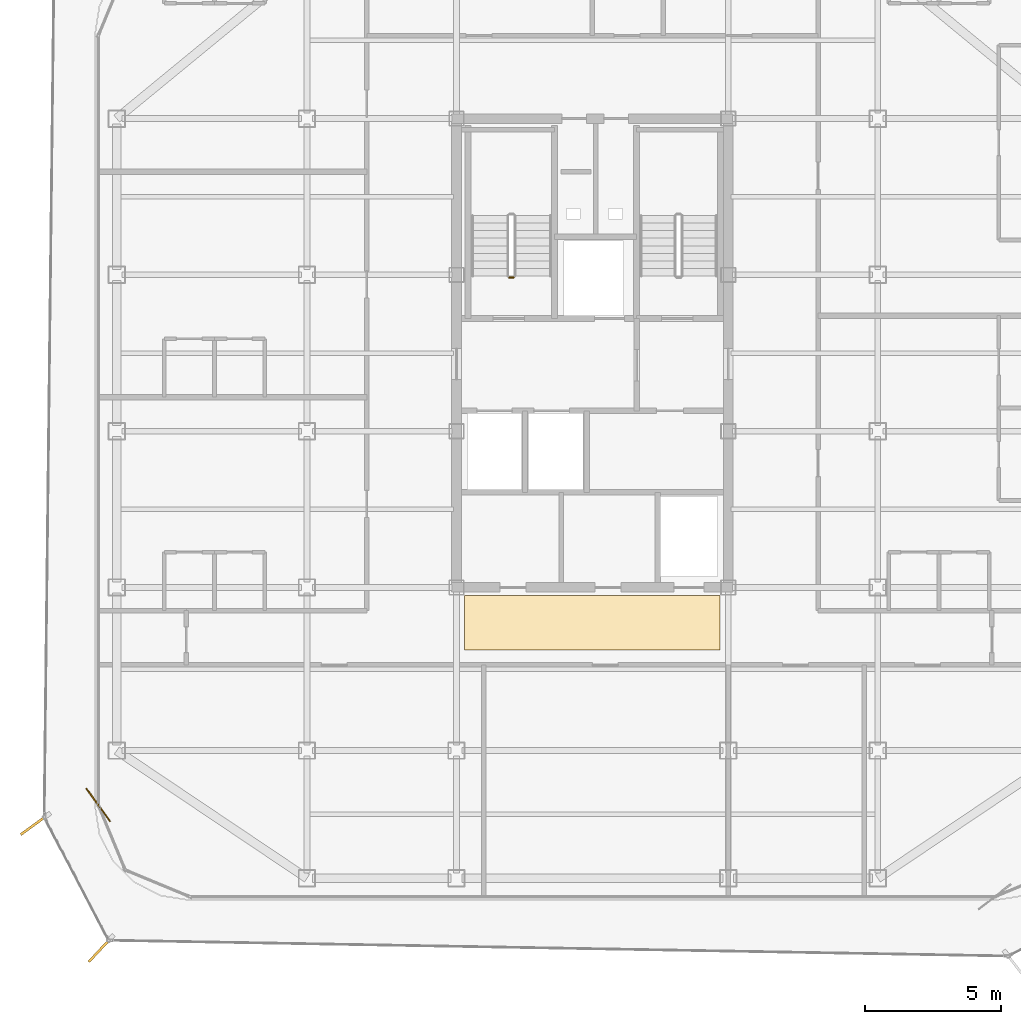
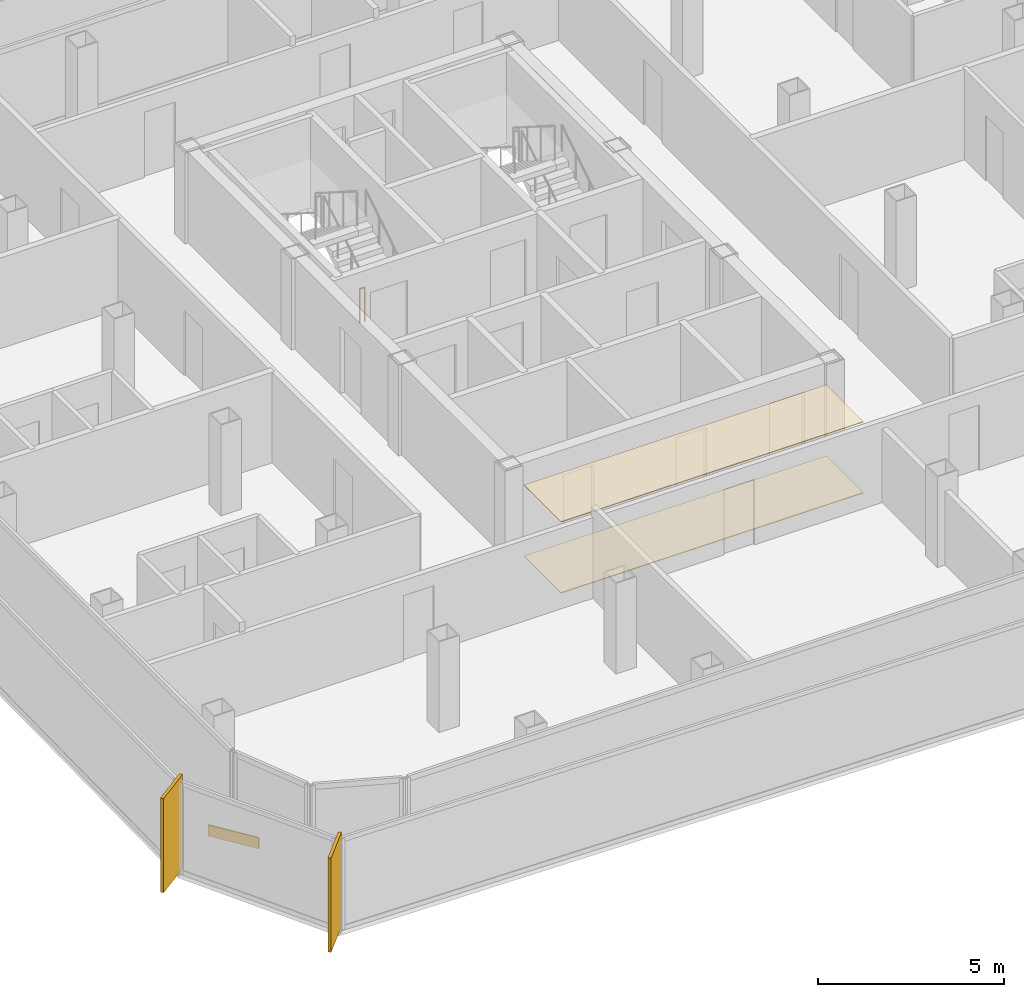
# One storey, part 13 of 15: 3 coverings, 2 shading devices, 1 railing.
"""IFC4 building model written with IfcOpenShell, lengths in metres."""

from ifc_helpers import new_model, si_unit, direction, frame, origin, origin_2d, place, context, subcontext, project, spatial, polyline, rectangle, circle, outline, extrude, source, transform, mapped, material, layer, layer_set, type_object, element, save


model = new_model("IFC4")

# Units and contexts
model_context = context("Model", 3, precision=1e-05, world=origin(), true_north=direction((0.0, 1.0)))
body_context = subcontext(model_context, "Body", "Model", "MODEL_VIEW")
ifc_project = project(units=[si_unit("LENGTHUNIT", "METRE"), si_unit("AREAUNIT", "SQUARE_METRE"), si_unit("VOLUMEUNIT", "CUBIC_METRE"), si_unit("PLANEANGLEUNIT", "RADIAN"), si_unit("MASSUNIT", "GRAM", prefix="KILO")], contexts=[model_context])

# Site, building, storey
site_placement = place(None, origin())
site = spatial("IfcSite", under=ifc_project, at=site_placement, CompositionType="ELEMENT")
building_placement = place(site_placement, origin())
building = spatial("IfcBuilding", under=site, at=building_placement, Name="Kolveth Station Tower", CompositionType="ELEMENT")
storey_placement = place(building_placement, frame((0.0, 0.0, 229.699951171875)))
storey = spatial("IfcBuildingStorey", under=building, at=storey_placement, Name="L65", CompositionType="ELEMENT", Elevation=229.699951171875)

# Coverings
ifc_material_1 = material(Name="Acoustic mineral-fibre ceiling tile")
ifc_layer_1 = layer(ifc_material_1, 0.02490234375)
ifc_layer_set_1 = layer_set([ifc_layer_1], Name="Acoustic mineral-fibre ceiling tile")
covering_type_1 = type_object("IfcCoveringType", Name="Ceil_CL1", PredefinedType="CEILING", material=ifc_layer_set_1)
covering_1_placement = place(storey_placement, frame((0.0, 0.0, 2.330078125)))
element("IfcCovering", 1, at=covering_1_placement, inside=storey, type_object=covering_type_1, Name="L65 Lift Lobby Suspended Ceiling", PredefinedType="CEILING", context=body_context, shape_type="SweptSolid", body=[
    extrude(outline(polyline([(18.800048828125, 9.199951171875), (28.199951171875, 9.199951171875), (28.199951171875, 11.199951171875), (18.800048828125, 11.199951171875), (18.800048828125, 9.199951171875)])), origin(), (0.0, 0.0, 1.0), 0.02490234375),
])
ifc_material_2 = material(Name="Honed terrazzo flooring")
ifc_layer_2 = layer(ifc_material_2, 0.02001953125)
ifc_layer_set_2 = layer_set([ifc_layer_2], Name="Honed terrazzo flooring")
covering_type_2 = type_object("IfcCoveringType", Name="Floor_FL1", PredefinedType="FLOORING", material=ifc_layer_set_2)
covering_2_placement = place(storey_placement, origin())
element("IfcCovering", 2, at=covering_2_placement, inside=storey, type_object=covering_type_2, Name="L65 Lift Lobby Floor Finish", PredefinedType="FLOORING", context=body_context, shape_type="SweptSolid", body=[
    extrude(outline(polyline([(18.800048828125, 9.199951171875), (28.199951171875, 9.199951171875), (28.199951171875, 11.199951171875), (18.800048828125, 11.199951171875), (18.800048828125, 9.199951171875)])), origin(), (0.0, 0.0, 1.0), 0.02001953125),
])

# Railing
ifc_material_3 = material(Name="Painted Steel S355 balustrade", Category="steel")
railing_type = type_object("IfcRailingType", Name="Guard_GR2", PredefinedType="BALUSTRADE", material=ifc_material_3)
railing_placement = place(storey_placement, frame((20.60009765625, 22.89990234375, 0.0)))
element("IfcRailing", 3, at=railing_placement, inside=storey, type_object=railing_type, Name="L65 ST1 stair guard 4", PredefinedType="BALUSTRADE", context=body_context, shape_type="SweptSolid", body=[
    extrude(circle(Radius=0.02392578125, at=origin_2d()), frame((0.0, 0.0, 1.1259765625), z_axis=(-1.0, 0.0, 0.0), x_axis=(0.0, -1.0, 0.0)), (0.0, 0.0, 1.0), 0.16015625),
    extrude(circle(Radius=0.02099609375, at=origin_2d()), origin(), (0.0, 0.0, 1.0), 1.101806640625),
    extrude(circle(Radius=0.02099609375, at=origin_2d()), frame((-0.16015625, 0.0, 0.0)), (0.0, 0.0, 1.0), 1.101806640625),
])

# Shading devices
ifc_material_4 = material(Name="Black anodized aluminium 6063-T6", Category="aluminium")
shading_device_type = type_object("IfcShadingDeviceType", Name="FIN_VF1", PredefinedType="USERDEFINED", material=ifc_material_4)
shared_shape_1 = source(origin(), body_context, "Body", "SweptSolid", [
    extrude(rectangle(XDim=1.25, YDim=0.090087890625, at=origin_2d()), origin(), (0.0, 0.0, 1.0), 3.10009765625),
])
for number, where, z_axis, x_axis, name in (
    (4, (2.97412109375, 2.77490234375, 0.0), (0.0, 0.0, 1.0), (-0.809734505573, -0.586796413149, 0.0), "L65 Dark-Aluminium Solar Fin 7"),
    (5, (5.39892578125, -1.81494140625, 0.0), (0.0, 0.0, 1.0), (-0.680976533192, -0.732305237754, 0.0), "L65 Dark-Aluminium Solar Fin 8"),
):
    element("IfcShadingDevice", number, at=place(storey_placement, frame(where, z_axis=z_axis, x_axis=x_axis)), inside=storey, type_object=shading_device_type, Name=name, ObjectType="FIN", PredefinedType="USERDEFINED", context=body_context, shape_type="MappedRepresentation", body=[
        mapped(shared_shape_1, transform((0.0, 0.0, 0.0), x_axis=(1.0, 0.0, 0.0), y_axis=(0.0, 1.0, 0.0), z_axis=(0.0, 0.0, 1.0), scale=1.0)),
    ])

# Covering
ifc_material_5 = material(Name="Charcoal anodized aluminium spandrel cladding", Category="aluminium")
ifc_layer_3 = layer(ifc_material_5, 0.044921875)
ifc_layer_set_3 = layer_set([ifc_layer_3], Name="Charcoal anodized aluminium spandrel cladding")
covering_type_3 = type_object("IfcCoveringType", Name="Clad_CD1", PredefinedType="CLADDING", material=ifc_layer_set_3)
shared_shape_2 = source(origin(), body_context, "Body", "SweptSolid", [
    extrude(rectangle(XDim=1.5, YDim=0.044921875, at=origin_2d()), origin(), (0.0, 0.0, 1.0), 0.360107421875),
])
covering_3_placement = place(storey_placement, frame((5.320068359375, 3.5, 0.0), z_axis=(0.0, 0.0, 1.0), x_axis=(0.586796413149, -0.809734505573, 0.0)))
element("IfcCovering", 6, at=covering_3_placement, inside=storey, type_object=covering_type_3, Name="L65 Spandrel Edge Cladding 7", PredefinedType="CLADDING", context=body_context, shape_type="MappedRepresentation", body=[
    mapped(shared_shape_2, transform((0.0, 0.0, 0.0), x_axis=(1.0, 0.0, 0.0), y_axis=(0.0, 1.0, 0.0), z_axis=(0.0, 0.0, 1.0), scale=1.0)),
])

save(model, "model.ifc")
